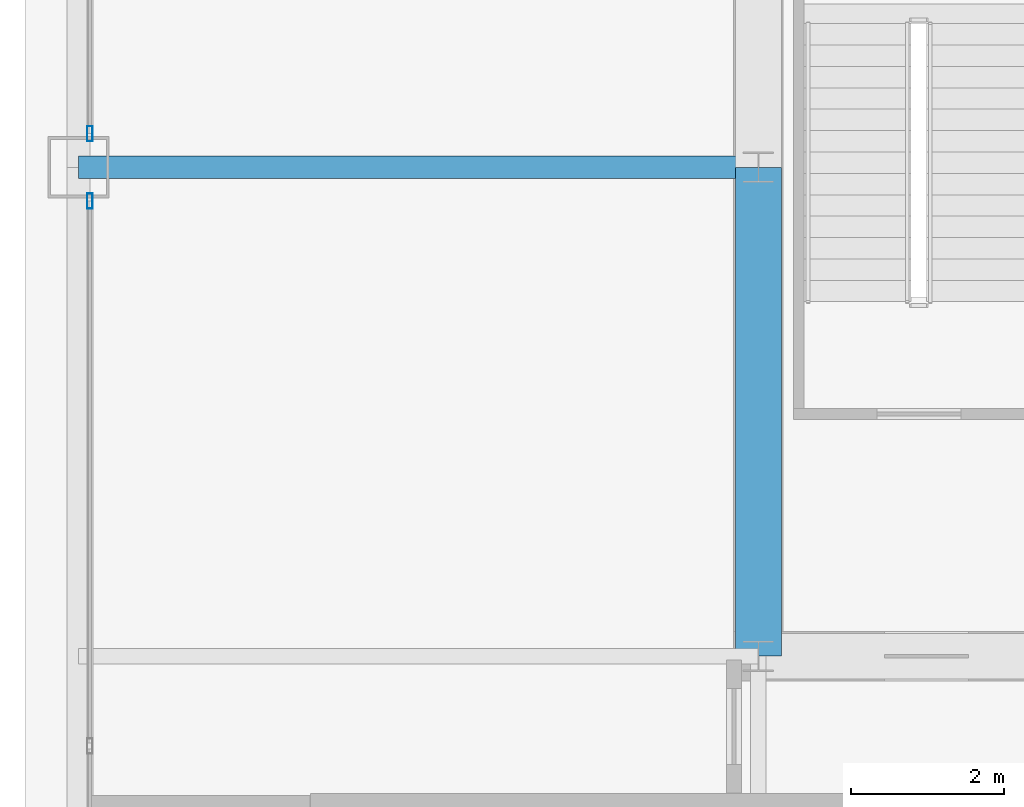
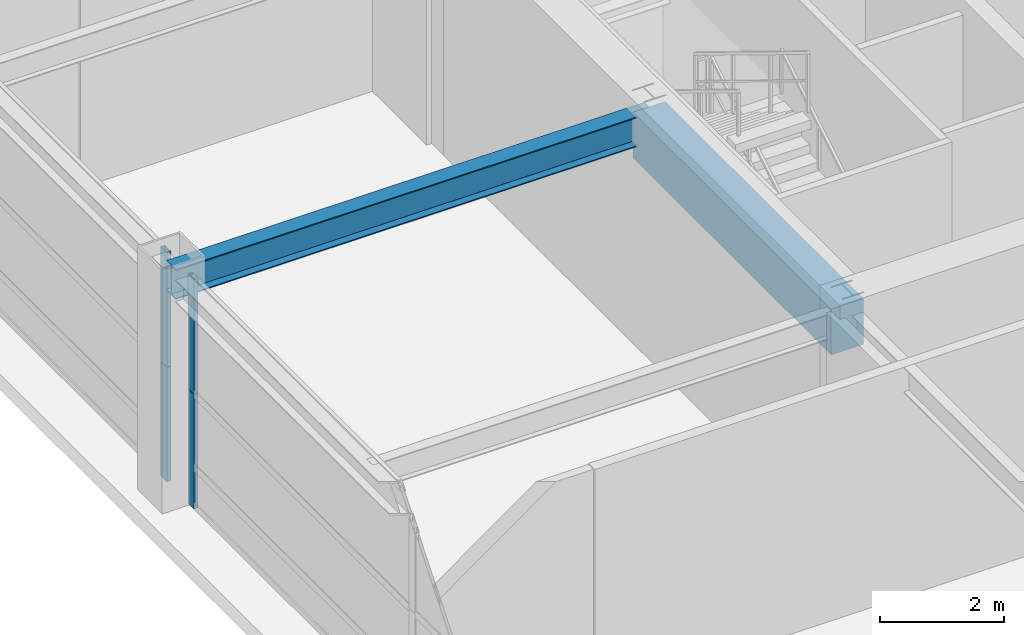
# One storey, part 12 of 34: 4 members, 2 beams, 2 elements without a shape of their own.
"""IFC4 building model written with IfcOpenShell, lengths in metres."""

import ifcopenshell
import ifcopenshell.guid

model = None  # the IFC model being written
_history = None  # IfcOwnerHistory: only IFC2X3 demands one
_inside = {}  # id of a spatial element -> (the spatial element, [elements in it])
_under = {}  # id of a project, library or spatial element -> (it, [spatial elements below it])
_declared = {}  # id of a project -> (the project, [libraries it declares])
_typed = {}  # id of a type object -> (the type object, [elements of that type])
_made_of = {}  # id of a material, layer set ... -> (it, [elements and type objects made of it])


def new_model(schema):
    """Start an empty IFC model of exactly this schema.

    Asked for "IFC4X3", IfcOpenShell would pick the latest addendum, in which some entities
    have other attributes; the version numbers below select the first issue.
    IFC2X3 requires an IfcOwnerHistory on every rooted entity: one is made here for all.
    """
    global model, _history
    if schema == "IFC4X3":
        model = ifcopenshell.file(schema_version=(4, 3, 0, 0))
    else:
        model = ifcopenshell.file(schema=schema)
    _inside.clear()
    _under.clear()
    _declared.clear()
    _typed.clear()
    _made_of.clear()
    _history = None
    if model.schema == "IFC2X3":
        org = make("IfcOrganization", Name="unknown")
        user = make(
            "IfcPersonAndOrganization",
            ThePerson=make("IfcPerson", FamilyName="unknown"),
            TheOrganization=org,
        )
        app = make(
            "IfcApplication",
            ApplicationDeveloper=org,
            Version="unknown",
            ApplicationFullName="unknown",
            ApplicationIdentifier="unknown",
        )
        _history = make(
            "IfcOwnerHistory",
            OwningUser=user,
            OwningApplication=app,
            ChangeAction="ADDED",
            CreationDate=0,
        )
    return model


def make(cls, **values):
    """One entity of the class cls with the attributes given. An attribute that is None is left unset."""
    return model.create_entity(
        cls, **{name: value for name, value in values.items() if value is not None}
    )


def rooted(cls, **values):
    """An entity with a GlobalId (a new one), such as an element, a storey or a relation."""
    return make(cls, GlobalId=ifcopenshell.guid.new(), OwnerHistory=_history, **values)


def si_unit(unit_type, name, prefix=None):
    """IfcSIUnit, for example si_unit("LENGTHUNIT", "METRE", prefix="MILLI")."""
    return make("IfcSIUnit", UnitType=unit_type, Prefix=prefix, Name=name)


def assignment(units):
    """IfcUnitAssignment: the units of a project."""
    return None if units is None else make("IfcUnitAssignment", Units=units)


def point(xyz):
    """IfcCartesianPoint."""
    return None if xyz is None else make("IfcCartesianPoint", Coordinates=xyz)


def direction(xyz):
    """IfcDirection."""
    return None if xyz is None else make("IfcDirection", DirectionRatios=xyz)


def frame(location, z_axis=None, x_axis=None):
    """IfcAxis2Placement3D, a coordinate frame: its origin and axes. An axis left out is left unset."""
    return make(
        "IfcAxis2Placement3D",
        Location=point(location),
        Axis=direction(z_axis),
        RefDirection=direction(x_axis),
    )


def frame_2d(location, x_axis=None):
    """IfcAxis2Placement2D, a coordinate frame in the plane: its origin and x axis."""
    return make(
        "IfcAxis2Placement2D", Location=point(location), RefDirection=direction(x_axis)
    )


def origin():
    """The frame at (0, 0, 0) with its axes left unset."""
    return frame((0.0, 0.0, 0.0))


def origin_2d():
    """The frame at (0, 0) in the plane with its x axis left unset."""
    return frame_2d((0.0, 0.0))


def place(relative_to, where):
    """IfcLocalPlacement: puts the frame where relative to a parent placement (None: the world)."""
    return make(
        "IfcLocalPlacement", PlacementRelTo=relative_to, RelativePlacement=where
    )


def context(
    kind, dimensions, precision=None, world=None, true_north=None, identifier=None
):
    """IfcGeometricRepresentationContext, for example the 3D "Model" context."""
    return make(
        "IfcGeometricRepresentationContext",
        ContextIdentifier=identifier,
        ContextType=kind,
        CoordinateSpaceDimension=dimensions,
        Precision=precision,
        WorldCoordinateSystem=world,
        TrueNorth=true_north,
    )


def subcontext(parent, identifier, kind, view, scale=None):
    """IfcGeometricRepresentationSubContext, for example "Body" below "Model"."""
    return make(
        "IfcGeometricRepresentationSubContext",
        ContextIdentifier=identifier,
        ContextType=kind,
        ParentContext=parent,
        TargetScale=scale,
        TargetView=view,
    )


def project(units=None, contexts=None):
    """IfcProject with its units and contexts."""
    return rooted(
        "IfcProject",
        Name="project",
        RepresentationContexts=contexts,
        UnitsInContext=assignment(units),
    )


def spatial(cls, under=None, at=None, **own):
    """A site, building, storey or space (cls), placed at a placement, below another one or the project."""
    s = rooted(cls, ObjectPlacement=at, **own)
    if under is not None:
        _under.setdefault(under.id(), (under, []))[1].append(s)
    return s


def profile(cls, at=None, kind="AREA", **sizes):
    """A parametric profile (cls). Its sizes go by their IFC names, for example OverallWidth=200.0."""
    return make(cls, ProfileType=kind, Position=at, **sizes)


def rectangle(**sizes):
    """IfcRectangleProfileDef."""
    return profile("IfcRectangleProfileDef", **sizes)


def hollow_rectangle(**sizes):
    """IfcRectangleHollowProfileDef."""
    return profile("IfcRectangleHollowProfileDef", **sizes)


def i_section(**sizes):
    """IfcIShapeProfileDef."""
    return profile("IfcIShapeProfileDef", **sizes)


def extrude(swept, where, along, depth):
    """IfcExtrudedAreaSolid: the profile swept, set in the frame where, extruded along a direction by depth."""
    return make(
        "IfcExtrudedAreaSolid",
        SweptArea=swept,
        Position=where,
        ExtrudedDirection=direction(along),
        Depth=depth,
    )


def shape(context_of_items, identifier, shape_type, items):
    """IfcShapeRepresentation: the items that make up one representation, for example the "Body"."""
    return make(
        "IfcShapeRepresentation",
        ContextOfItems=context_of_items,
        RepresentationIdentifier=identifier,
        RepresentationType=shape_type,
        Items=items,
    )


def source(mapping_origin, context_of_items, identifier, shape_type, items):
    """IfcRepresentationMap: a shape defined once, which mapped items show again and again."""
    return make(
        "IfcRepresentationMap",
        MappingOrigin=mapping_origin,
        MappedRepresentation=shape(context_of_items, identifier, shape_type, items),
    )


def transform(
    local_origin,
    x_axis=None,
    y_axis=None,
    z_axis=None,
    scale=None,
    scale2=None,
    scale3=None,
    uniform=True,
):
    """IfcCartesianTransformationOperator3D, or its non-uniform kind. x_axis, y_axis, z_axis: its Axis1, 2, 3."""
    if uniform:
        return make(
            "IfcCartesianTransformationOperator3D",
            Axis1=direction(x_axis),
            Axis2=direction(y_axis),
            LocalOrigin=point(local_origin),
            Scale=scale,
            Axis3=direction(z_axis),
        )
    return make(
        "IfcCartesianTransformationOperator3DnonUniform",
        Axis1=direction(x_axis),
        Axis2=direction(y_axis),
        LocalOrigin=point(local_origin),
        Scale=scale,
        Axis3=direction(z_axis),
        Scale2=scale2,
        Scale3=scale3,
    )


def mapped(mapping_source, mapping_target):
    """IfcMappedItem: shows the shape of a source again, moved by a transform."""
    return make(
        "IfcMappedItem", MappingSource=mapping_source, MappingTarget=mapping_target
    )


def material(Name=None, Category=None):
    """IfcMaterial."""
    return make("IfcMaterial", Name=Name, Category=Category)


def layer(
    of_material, thickness, ventilated=None, Name=None, Category=None, Priority=None
):
    """IfcMaterialLayer: one layer of a wall or slab, of a material (None: an air gap)."""
    return make(
        "IfcMaterialLayer",
        Material=of_material,
        LayerThickness=thickness,
        IsVentilated=ventilated,
        Name=Name,
        Category=Category,
        Priority=Priority,
    )


def layer_set(layers, Name=None):
    """IfcMaterialLayerSet."""
    return make("IfcMaterialLayerSet", MaterialLayers=layers, LayerSetName=Name)


def material_profile(
    of_material, cross_section, Name=None, Category=None, Priority=None
):
    """IfcMaterialProfile: a cross section and its material."""
    return make(
        "IfcMaterialProfile",
        Name=Name,
        Material=of_material,
        Profile=cross_section,
        Priority=Priority,
        Category=Category,
    )


def profile_set(profiles, Name=None, composite=None):
    """IfcMaterialProfileSet."""
    return make(
        "IfcMaterialProfileSet",
        Name=Name,
        MaterialProfiles=profiles,
        CompositeProfile=composite,
    )


def made_of(thing, what):
    """Note that an element or type object is made of a material, layer set ...; save() writes the relation."""
    if what is not None:
        _made_of.setdefault(what.id(), (what, []))[1].append(thing)
    return thing


def type_object(cls, material=None, **own):
    """A type object (cls), such as IfcWallType, which elements share."""
    return made_of(rooted(cls, **own), material)


def element(
    cls,
    number,
    at=None,
    inside=None,
    cuts=None,
    type_object=None,
    material=None,
    context=None,
    identifier="Body",
    shape_type=None,
    held_by="IfcProductDefinitionShape",
    body=None,
    shapes=None,
    **own,
):
    """One element of the class cls, such as IfcWall. Its Tag is "e" and its number.

    at: its placement. inside: the storey or other place that contains it. cuts: it is an
    opening in that element (IfcRelVoidsElement). A single representation is given by context,
    identifier, shape_type and body (its items); several are given by shapes. held_by: the class
    of the entity that holds the representations. save() writes the other relations.
    """
    e = rooted(cls, Tag="e%d" % number, ObjectPlacement=at, **own)
    if body is not None:
        shapes = [shape(context, identifier, shape_type, body)]
    if shapes is not None:
        e.Representation = make(held_by, Representations=shapes)
    if inside is not None:
        _inside.setdefault(inside.id(), (inside, []))[1].append(e)
    if cuts is not None:
        rooted(
            "IfcRelVoidsElement", RelatingBuildingElement=cuts, RelatedOpeningElement=e
        )
    if type_object is not None:
        _typed.setdefault(type_object.id(), (type_object, []))[1].append(e)
    return made_of(e, material)


def aggregate(whole, parts):
    """IfcRelAggregates: a whole, such as a stair, and the parts it consists of."""
    return rooted("IfcRelAggregates", RelatingObject=whole, RelatedObjects=parts)


def save(model, path):
    """Write the relations noted so far, then the file.

    IfcRelAggregates (storeys below a building ...), IfcRelContainedInSpatialStructure (elements
    in a storey), IfcRelDefinesByType, IfcRelAssociatesMaterial and IfcRelDeclares: one each for
    every whole, place, type object, material and project.
    """
    for whole, parts in _under.values():
        aggregate(whole, parts)
    for where, things in _inside.values():
        rooted(
            "IfcRelContainedInSpatialStructure",
            RelatedElements=things,
            RelatingStructure=where,
        )
    for kind, things in _typed.values():
        rooted("IfcRelDefinesByType", RelatedObjects=things, RelatingType=kind)
    for what, things in _made_of.values():
        rooted("IfcRelAssociatesMaterial", RelatedObjects=things, RelatingMaterial=what)
    for by, libraries in _declared.values():
        rooted("IfcRelDeclares", RelatingContext=by, RelatedDefinitions=libraries)
    model.write(path)


model = new_model("IFC4")

# Units and contexts
model_context = context("Model", 3, precision=1e-05, world=origin(), true_north=direction((0.0, 1.0)))
body_context = subcontext(model_context, "Body", "Model", "MODEL_VIEW")
ifc_project = project(units=[si_unit("LENGTHUNIT", "METRE"), si_unit("AREAUNIT", "SQUARE_METRE"), si_unit("VOLUMEUNIT", "CUBIC_METRE"), si_unit("PLANEANGLEUNIT", "RADIAN"), si_unit("MASSUNIT", "GRAM", prefix="KILO"), si_unit("THERMODYNAMICTEMPERATUREUNIT", "KELVIN"), si_unit("POWERUNIT", "WATT")], contexts=[model_context])

# Site, building, storey
site_placement = place(None, origin())
site = spatial("IfcSite", under=ifc_project, at=site_placement, CompositionType="ELEMENT")
building_placement = place(site_placement, origin())
building = spatial("IfcBuilding", under=site, at=building_placement, Name="Yuzanri Waterfront Tower", CompositionType="ELEMENT")
storey_placement = place(building_placement, frame((0.0, 0.0, 171.60009765625)))
storey = spatial("IfcBuildingStorey", under=building, at=storey_placement, Name="L45", CompositionType="ELEMENT", Elevation=171.60009765625)

# Beams
ifc_material_1 = material(Name="Concrete C60", Category="concrete")
ifc_material_profile_1 = material_profile(ifc_material_1, rectangle(XDim=0.60009765625, YDim=0.89990234375, at=origin_2d()), Name="RC 600x900")
ifc_profile_set_1 = profile_set([ifc_material_profile_1], Name="Concrete C60")
beam_type_1 = type_object("IfcBeamType", Name="Core Coupling Lintel Concrete C60 600x900", PredefinedType="LINTEL", material=ifc_profile_set_1)
shared_shape_1 = source(origin(), body_context, "Body", "SweptSolid", [
    extrude(rectangle(XDim=0.60009765625, YDim=0.89990234375, at=origin_2d()), origin(), (0.0, 0.0, 1.0), 6.400146484375),
])
beam_1_placement = place(storey_placement, frame((23.800048828125, 19.39990234375, 4.06982421875), z_axis=(0.0, 1.0, 0.0), x_axis=(-1.0, 0.0, 0.0)))
element("IfcBeam", 1, at=beam_1_placement, inside=storey, type_object=beam_type_1, Name="L45 Core Tie Beam CW1", PredefinedType="LINTEL", context=body_context, shape_type="MappedRepresentation", body=[
    mapped(shared_shape_1, transform((0.0, 0.0, 0.0), scale=1.0)),
])
ifc_material_2 = material(Name="Steel Q355B", Category="steel")
ifc_material_profile_2 = material_profile(ifc_material_2, i_section(OverallWidth=0.300048828125, OverallDepth=0.587890625, WebThickness=0.011962890625, FlangeThickness=0.02001953125, at=origin_2d()), Name="HM 588x300x12x20")
ifc_profile_set_2 = profile_set([ifc_material_profile_2], Name="Steel Q355B")
beam_type_2 = type_object("IfcBeamType", Name="Primary Floor Girder Q355B HM 588x300", PredefinedType="BEAM", material=ifc_profile_set_2)
shared_shape_2 = source(origin(), body_context, "Body", "SweptSolid", [
    extrude(i_section(OverallWidth=0.300048828125, OverallDepth=0.587890625, WebThickness=0.011962890625, FlangeThickness=0.02001953125, at=origin_2d()), origin(), (0.0, 0.0, 1.0), 8.900146484375),
])
beam_2_placement = place(storey_placement, frame((23.800048828125, 25.800048828125, 4.225830078125), z_axis=(-1.0, 0.0, 0.0), x_axis=(0.0, -1.0, 0.0)))
element("IfcBeam", 2, at=beam_2_placement, inside=storey, type_object=beam_type_2, Name="L45 West Grid Girder", PredefinedType="BEAM", context=body_context, shape_type="MappedRepresentation", body=[
    mapped(shared_shape_2, transform((0.0, 0.0, 0.0), scale=1.0)),
])

# Curtain wall, member
ifc_material_3 = material(Name="Anodized Architectural Bronze", Category="metal")
ifc_layer = layer(ifc_material_3, 0.159912109375)
ifc_layer_set = layer_set([ifc_layer], Name="Anodized Architectural Bronze")
curtain_wall_type = type_object("IfcCurtainWallType", Name="Anodized Bronze Sky-Lobby Triple-Glazed Feature Curtain Wall 7500", PredefinedType="NOTDEFINED", material=ifc_layer_set)
curtain_wall_1_placement = place(storey_placement, origin())
curtain_wall_1 = element("IfcCurtainWall", 3, at=curtain_wall_1_placement, inside=storey, type_object=curtain_wall_type, Name="L45 Curtain Wall CW-L45-WL", PredefinedType="NOTDEFINED")
ifc_material_4 = material(Name="Anodized Architectural Bronze", Category="metal")
ifc_material_profile_3 = material_profile(ifc_material_4, hollow_rectangle(XDim=0.074951171875, YDim=0.199951171875, WallThickness=0.00390625, at=origin_2d()), Name="CWM 75x200")
ifc_profile_set_3 = profile_set([ifc_material_profile_3], Name="Anodized Architectural Bronze")
member_type = type_object("IfcMemberType", Name="Anodized Bronze Primary Curtain-Wall Mullion 75x200", PredefinedType="MULLION", material=ifc_profile_set_3)
shared_shape_3 = source(origin(), body_context, "Body", "SweptSolid", [
    extrude(hollow_rectangle(XDim=0.074951171875, YDim=0.199951171875, WallThickness=0.00390625, at=origin_2d()), origin(), (0.0, 0.0, 1.0), 2.258056640625),
])
member_1_placement = place(storey_placement, frame((15.050048828125, 25.360107421875, 2.261962890625), z_axis=(0.0, 0.0, 1.0), x_axis=(1.0, 0.0, 0.0)))
member_1 = element("IfcMember", 4, at=member_1_placement, type_object=member_type, Name="CW-L45-WL Upper Mullion 02", PredefinedType="MULLION", context=body_context, shape_type="MappedRepresentation", body=[
    mapped(shared_shape_3, transform((0.0, 0.0, 0.0), scale=1.0)),
])

curtain_wall_2_placement = place(storey_placement, origin())
curtain_wall_2 = element("IfcCurtainWall", 5, at=curtain_wall_2_placement, inside=storey, type_object=curtain_wall_type, Name="L45 Curtain Wall CW-L45-WR", PredefinedType="NOTDEFINED")
member_2_placement = place(storey_placement, frame((15.050048828125, 26.239990234375, 2.261962890625), z_axis=(0.0, 0.0, 1.0), x_axis=(1.0, 0.0, 0.0)))
member_2 = element("IfcMember", 6, at=member_2_placement, type_object=member_type, Name="CW-L45-WR Upper Mullion 00", PredefinedType="MULLION", context=body_context, shape_type="MappedRepresentation", body=[
    mapped(shared_shape_3, transform((0.0, 0.0, 0.0), scale=1.0)),
])

# Member
shared_shape_4 = source(origin(), body_context, "Body", "SweptSolid", [
    extrude(hollow_rectangle(XDim=0.074951171875, YDim=0.199951171875, WallThickness=0.00390625, at=origin_2d()), origin(), (0.0, 0.0, 1.0), 2.2578125),
])
member_3_placement = place(storey_placement, frame((15.050048828125, 25.360107421875, 0.0), z_axis=(0.0, 0.0, 1.0), x_axis=(1.0, 0.0, 0.0)))
member_3 = element("IfcMember", 7, at=member_3_placement, type_object=member_type, Name="CW-L45-WL Lower Mullion 02", PredefinedType="MULLION", context=body_context, shape_type="MappedRepresentation", body=[
    mapped(shared_shape_4, transform((0.0, 0.0, 0.0), scale=1.0)),
])

aggregate(curtain_wall_1, [member_3, member_1])

member_4_placement = place(storey_placement, frame((15.050048828125, 26.239990234375, 0.0), z_axis=(0.0, 0.0, 1.0), x_axis=(1.0, 0.0, 0.0)))
member_4 = element("IfcMember", 8, at=member_4_placement, type_object=member_type, Name="CW-L45-WR Lower Mullion 00", PredefinedType="MULLION", context=body_context, shape_type="MappedRepresentation", body=[
    mapped(shared_shape_4, transform((0.0, 0.0, 0.0), scale=1.0)),
])

aggregate(curtain_wall_2, [member_4, member_2])

save(model, "model.ifc")
